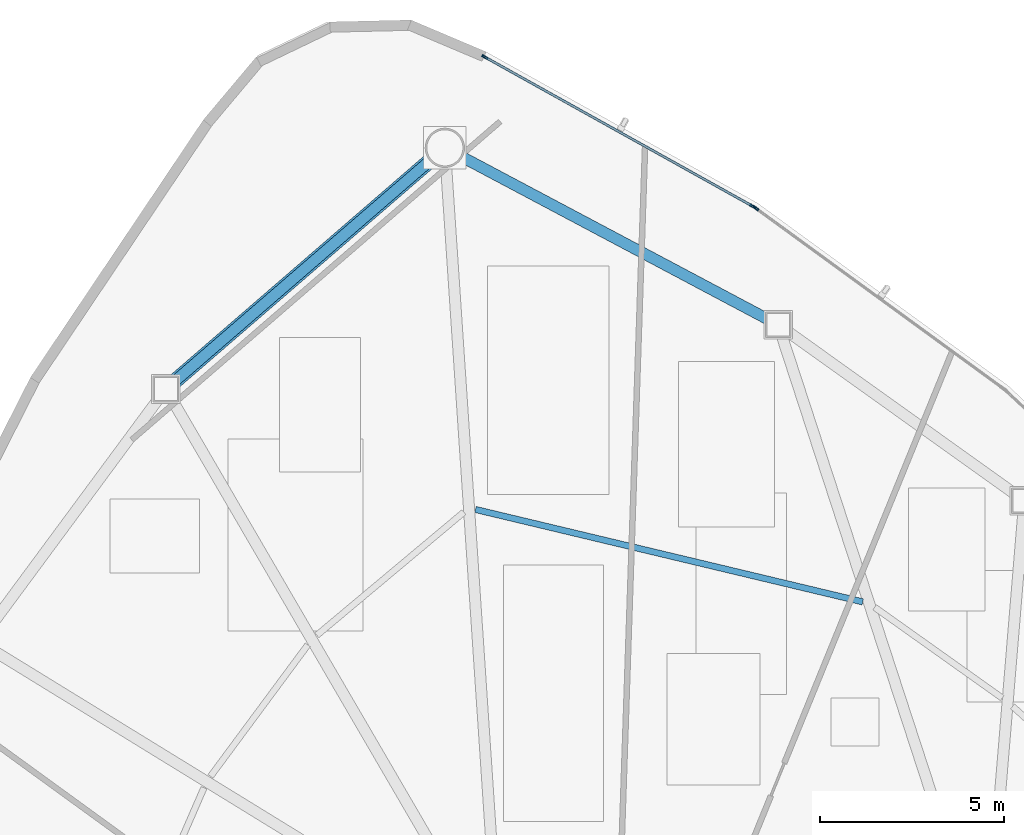
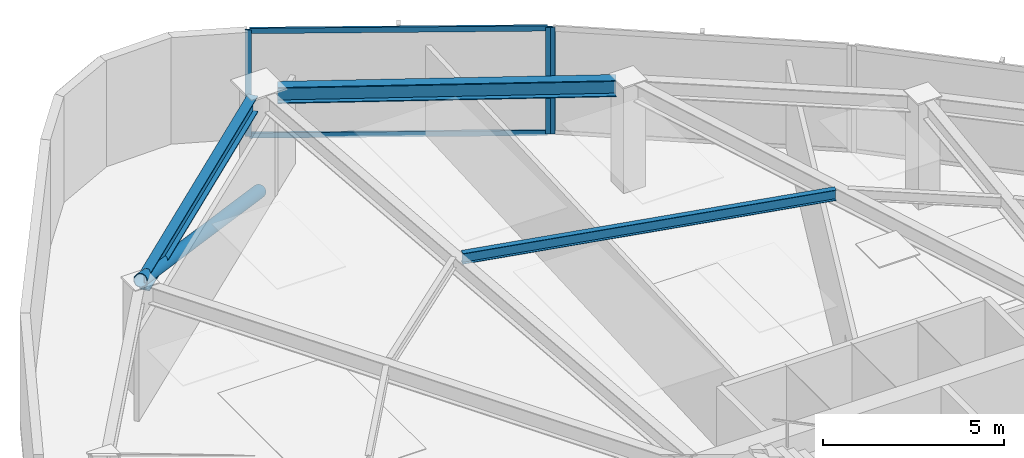
# One storey, part 8 of 17: 6 members, 3 beams, 2 elements without a shape of their own.
"""IFC4 building model written with IfcOpenShell, lengths in metres."""

from ifc_helpers import new_model, si_unit, direction, frame, origin, origin_2d, place, context, subcontext, project, spatial, hollow_rectangle, hollow_circle, i_section, extrude, source, transform, mapped, material, layer, layer_set, material_profile, profile_set, type_object, type_shapes, element, aggregate, save


model = new_model("IFC4")

# Units and contexts
model_context = context("Model", 3, precision=1e-05, world=origin(), true_north=direction((0.0, 1.0)))
body_context = subcontext(model_context, "Body", "Model", "MODEL_VIEW")
ifc_project = project(units=[si_unit("LENGTHUNIT", "METRE"), si_unit("AREAUNIT", "SQUARE_METRE"), si_unit("VOLUMEUNIT", "CUBIC_METRE"), si_unit("PLANEANGLEUNIT", "RADIAN"), si_unit("MASSUNIT", "GRAM", prefix="KILO")], contexts=[model_context])

# Site, building, storey
site_placement = place(None, origin())
site = spatial("IfcSite", under=ifc_project, at=site_placement, CompositionType="ELEMENT")
building_placement = place(site_placement, origin())
building = spatial("IfcBuilding", under=site, at=building_placement, Name="Tavelor Broadcast Tower", CompositionType="ELEMENT")
storey_placement = place(building_placement, frame((0.0, 0.0, 82.199951171875)))
storey = spatial("IfcBuildingStorey", under=building, at=storey_placement, Name="L19", CompositionType="ELEMENT", Elevation=82.199951171875)

# Beams
ifc_material_1 = material(Name="Steel S355", Category="steel")
ifc_material_profile_1 = material_profile(ifc_material_1, i_section(OverallWidth=0.169921875, OverallDepth=0.360107421875, WebThickness=0.008056640625, FlangeThickness=0.0126953125, at=origin_2d()), Name="IPE 360")
ifc_profile_set_1 = profile_set([ifc_material_profile_1], Name="Steel S355")
beam_type_1 = type_object("IfcBeamType", Name="Composite Floor Joist T2 IPE 360", PredefinedType="JOIST", material=ifc_profile_set_1)
beam_1_placement = place(storey_placement, frame((53.252685546875, 60.954345703125, 3.420166015625), z_axis=(-0.97267356202, 0.232176962139, 0.0), x_axis=(-0.232176962139, -0.97267356202, 0.0)))
element("IfcBeam", 1, at=beam_1_placement, inside=storey, type_object=beam_type_1, Name="L19 Secondary Composite Floor Joist 18", PredefinedType="JOIST", context=body_context, shape_type="SweptSolid", body=[
    extrude(i_section(OverallWidth=0.169921875, OverallDepth=0.360107421875, WebThickness=0.008056640625, FlangeThickness=0.0126953125, at=origin_2d()), origin(), (0.0, 0.0, 1.0), 10.794921875),
])
ifc_material_profile_2 = material_profile(ifc_material_1, i_section(OverallWidth=0.300048828125, OverallDepth=0.550048828125, WebThickness=0.014892578125, FlangeThickness=0.029052734375, at=origin_2d()), Name="HEB 550")
ifc_profile_set_2 = profile_set([ifc_material_profile_2], Name="Steel S355")
beam_type_2 = type_object("IfcBeamType", Name="Perimeter Spandrel Beam T2 HEB 550", PredefinedType="SPANDREL", material=ifc_profile_set_2)
beam_2_placement = place(storey_placement, frame((41.535400390625, 72.931396484375, 3.324951171875), z_axis=(-0.756652037371, -0.653817783746, 0.0), x_axis=(0.653817783746, -0.756652037371, 0.0)))
element("IfcBeam", 2, at=beam_2_placement, inside=storey, type_object=beam_type_2, Name="L19 Framed-Tube Ring Spandrel 01", PredefinedType="SPANDREL", context=body_context, shape_type="SweptSolid", body=[
    extrude(i_section(OverallWidth=0.300048828125, OverallDepth=0.550048828125, WebThickness=0.014892578125, FlangeThickness=0.029052734375, at=origin_2d()), origin(), (0.0, 0.0, 1.0), 9.15234375),
])
beam_3_placement = place(storey_placement, frame((50.6650390625, 68.626220703125, 3.324951171875), z_axis=(-0.883288784051, 0.468829312192, 0.0), x_axis=(-0.468829312192, -0.883288784051, 0.0)))
element("IfcBeam", 3, at=beam_3_placement, inside=storey, type_object=beam_type_2, Name="L19 Framed-Tube Ring Spandrel 18", PredefinedType="SPANDREL", context=body_context, shape_type="SweptSolid", body=[
    extrude(i_section(OverallWidth=0.300048828125, OverallDepth=0.550048828125, WebThickness=0.014892578125, FlangeThickness=0.029052734375, at=origin_2d()), origin(), (0.0, 0.0, 1.0), 9.384765625),
])

# Member
ifc_material_profile_3 = material_profile(ifc_material_1, hollow_circle(Radius=0.203125, WallThickness=0.02001953125, at=origin_2d()), Name="CHS 406.4x20")
ifc_profile_set_3 = profile_set([ifc_material_profile_3], Name="Steel S355")
member_type_1 = type_object("IfcMemberType", Name="Perimeter Tube Brace T2 CHS 406.4x20", PredefinedType="BRACE", material=ifc_profile_set_3)
member_1_placement = place(storey_placement, frame((41.923095703125, 73.266357421875, 0.0), z_axis=(-0.711923189295, -0.615174771108, 0.338711342497), x_axis=(0.653821967179, -0.756648422475, 0.0)))
element("IfcMember", 4, at=member_1_placement, inside=storey, type_object=member_type_1, Name="L19 Corner Tube Diagonal Brace 1", PredefinedType="BRACE", context=body_context, shape_type="SweptSolid", body=[
    extrude(hollow_circle(Radius=0.203125, WallThickness=0.02001953125, at=origin_2d()), origin(), (0.0, 0.0, 1.0), 10.62890625),
])

# Curtain wall, member
ifc_material_2 = material(Name="Architectural Anodized Aluminium", Category="aluminium")
ifc_layer = layer(ifc_material_2, 0.179931640625)
ifc_layer_set = layer_set([ifc_layer], Name="Architectural Anodized Aluminium")
curtain_wall_type = type_object("IfcCurtainWallType", Name="Tower Low-Zone Unitised Curtain Wall CW02", PredefinedType="NOTDEFINED", material=ifc_layer_set)
curtain_wall_1_placement = place(storey_placement, origin())
curtain_wall_1 = element("IfcCurtainWall", 5, at=curtain_wall_1_placement, inside=storey, type_object=curtain_wall_type, Name="L19 Curtain Wall CW02 Run 191", PredefinedType="NOTDEFINED")
ifc_material_profile_4 = material_profile(ifc_material_2, hollow_rectangle(XDim=0.06494140625, YDim=0.179931640625, WallThickness=0.02197265625, at=origin_2d()), Name="RHS 65x180x22")
ifc_profile_set_4 = profile_set([ifc_material_profile_4], Name="Architectural Anodized Aluminium")
member_type_2 = type_object("IfcMemberType", Name="CW02 Extruded Aluminium Mullion 65x180", PredefinedType="MULLION", material=ifc_profile_set_4)
shared_shape_1 = source(origin(), body_context, "Body", "SweptSolid", [
    extrude(hollow_rectangle(XDim=0.06494140625, YDim=0.179931640625, WallThickness=0.02197265625, at=origin_2d()), origin(), (0.0, 0.0, 1.0), 3.60009765625),
])
type_shapes(member_type_2, [shared_shape_1])
member_2_placement = place(storey_placement, frame((50.353759765625, 71.629638671875, 0.0), z_axis=(0.0, 0.0, 1.0), x_axis=(-0.588830917956, -0.808256240347, 0.0)))
member_2 = element("IfcMember", 6, at=member_2_placement, type_object=member_type_2, Name="CW02 mullion 2", PredefinedType="MULLION", context=body_context, shape_type="MappedRepresentation", body=[
    mapped(shared_shape_1, transform((0.0, 0.0, 0.0), scale=1.0)),
])
aggregate(curtain_wall_1, [member_2])

# Curtain wall, members
curtain_wall_2_placement = place(storey_placement, origin())
curtain_wall_2 = element("IfcCurtainWall", 7, at=curtain_wall_2_placement, inside=storey, type_object=curtain_wall_type, Name="L19 Curtain Wall CW02 Run 192", PredefinedType="NOTDEFINED")
member_3_placement = place(storey_placement, frame((50.27392578125, 71.6806640625, 0.0), z_axis=(0.0, 0.0, 1.0), x_axis=(-0.486692795719, -0.873573192466, 0.0)))
member_3 = element("IfcMember", 8, at=member_3_placement, type_object=member_type_2, Name="CW02 mullion 1", PredefinedType="MULLION", context=body_context, shape_type="MappedRepresentation", body=[
    mapped(shared_shape_1, transform((0.0, 0.0, 0.0), scale=1.0)),
])
member_4_placement = place(storey_placement, frame((43.0068359375, 75.729248046875, 0.0), z_axis=(0.0, 0.0, 1.0), x_axis=(-0.486692795719, -0.873573192466, 0.0)))
member_4 = element("IfcMember", 9, at=member_4_placement, type_object=member_type_2, Name="CW02 mullion 2", PredefinedType="MULLION", context=body_context, shape_type="MappedRepresentation", body=[
    mapped(shared_shape_1, transform((0.0, 0.0, 0.0), scale=1.0)),
])
ifc_material_profile_5 = material_profile(ifc_material_2, hollow_rectangle(XDim=0.06494140625, YDim=0.179931640625, WallThickness=0.02197265625, at=origin_2d()), Name="RHS 65x180x22")
ifc_profile_set_5 = profile_set([ifc_material_profile_5], Name="Architectural Anodized Aluminium")
member_type_3 = type_object("IfcMemberType", Name="CW02 Extruded Aluminium Transom 65x180", PredefinedType="USERDEFINED", material=ifc_profile_set_5)
shared_shape_2 = source(origin(), body_context, "Body", "SweptSolid", [
    extrude(hollow_rectangle(XDim=0.06494140625, YDim=0.179931640625, WallThickness=0.02197265625, at=origin_2d()), origin(), (0.0, 0.0, 1.0), 8.253662109375),
])
type_shapes(member_type_3, [shared_shape_2])
member_5_placement = place(storey_placement, frame((50.245361328125, 71.696533203125, 0.032470703125), z_axis=(-0.87358180996, 0.48667732771, 0.0), x_axis=(-0.48667732771, -0.87358180996, 0.0)))
member_5 = element("IfcMember", 10, at=member_5_placement, type_object=member_type_3, Name="CW02 transom 1.1", ObjectType="TRANSOM", PredefinedType="USERDEFINED", context=body_context, shape_type="MappedRepresentation", body=[
    mapped(shared_shape_2, transform((0.0, 0.0, 0.0), scale=1.0)),
])
member_6_placement = place(storey_placement, frame((50.245361328125, 71.696533203125, 3.567626953125), z_axis=(-0.87358180996, 0.48667732771, 0.0), x_axis=(-0.48667732771, -0.87358180996, 0.0)))
member_6 = element("IfcMember", 11, at=member_6_placement, type_object=member_type_3, Name="CW02 transom 1.2", ObjectType="TRANSOM", PredefinedType="USERDEFINED", context=body_context, shape_type="MappedRepresentation", body=[
    mapped(shared_shape_2, transform((0.0, 0.0, 0.0), scale=1.0)),
])
aggregate(curtain_wall_2, [member_3, member_4, member_5, member_6])

save(model, "model.ifc")
